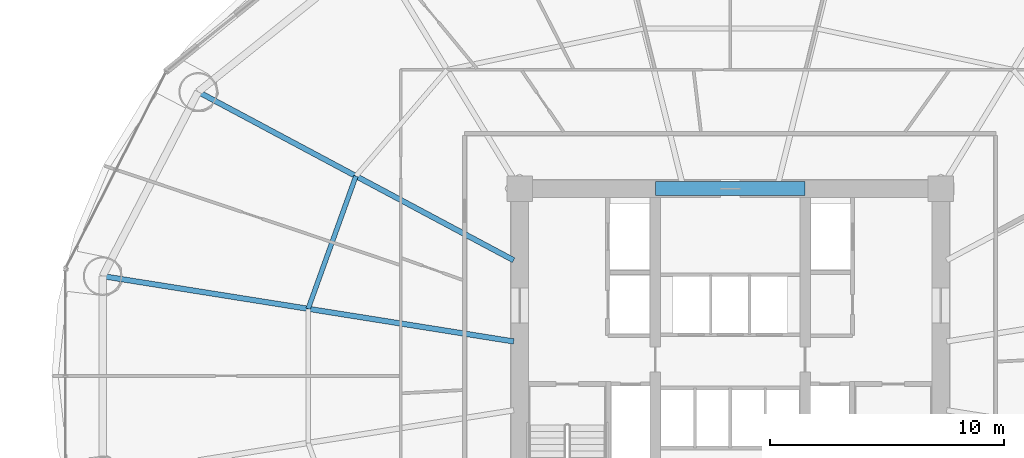
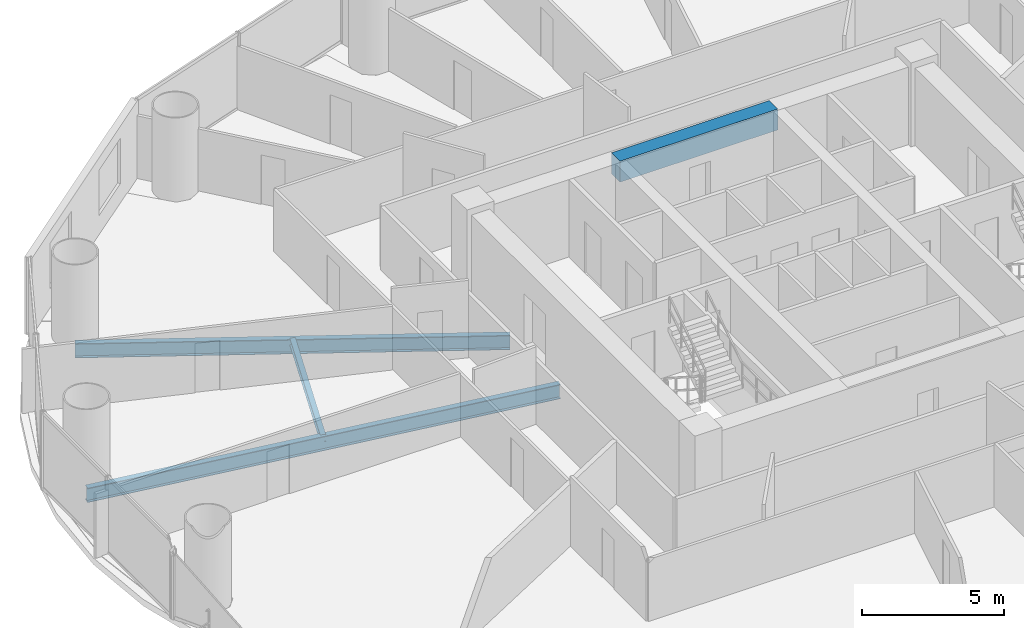
# One storey, part 10 of 30: 4 beams.
"""IFC4 building model written with IfcOpenShell, lengths in metres."""

from ifc_helpers import new_model, si_unit, direction, frame, origin, origin_2d, place, context, subcontext, project, spatial, rectangle, i_section, extrude, material, material_profile, profile_set, type_object, element, save


model = new_model("IFC4")

# Units and contexts
model_context = context("Model", 3, precision=1e-05, world=origin(), true_north=direction((-0.2419218956, 0.970295726276)))
body_context = subcontext(model_context, "Body", "Model", "MODEL_VIEW")
ifc_project = project(units=[si_unit("LENGTHUNIT", "METRE"), si_unit("AREAUNIT", "SQUARE_METRE"), si_unit("VOLUMEUNIT", "CUBIC_METRE"), si_unit("PLANEANGLEUNIT", "RADIAN"), si_unit("MASSUNIT", "GRAM", prefix="KILO")], contexts=[model_context])

# Site, building, storey
site_placement = place(None, origin())
site = spatial("IfcSite", under=ifc_project, at=site_placement, CompositionType="ELEMENT")
building_placement = place(site_placement, origin())
building = spatial("IfcBuilding", under=site, at=building_placement, Name="Cobrevalo Terracotta Tower", CompositionType="ELEMENT")
storey_placement = place(building_placement, frame((0.0, 0.0, 63.60009765625)))
storey = spatial("IfcBuildingStorey", under=building, at=storey_placement, Name="L16", CompositionType="ELEMENT", Elevation=63.60009765625)

# Beams
ifc_material_1 = material(Name="Concrete C60", Category="concrete")
ifc_material_profile_1 = material_profile(ifc_material_1, rectangle(XDim=0.60009765625, YDim=0.89990234375, at=origin_2d()), Name="RC CB 600x900")
ifc_profile_set_1 = profile_set([ifc_material_profile_1], Name="Concrete C60")
beam_type_1 = type_object("IfcBeamType", Name="Structural Beam RC CB 600x900 (Concrete C60)", PredefinedType="BEAM", material=ifc_profile_set_1)
beam_1_placement = place(storey_placement, frame((34.800048828125, 34.800048828125, 2.869873046875), z_axis=(1.0, 0.0, 0.0), x_axis=(0.0, 1.0, 0.0)))
element("IfcBeam", 1, at=beam_1_placement, inside=storey, type_object=beam_type_1, Name="L16 core coupling beam 2", PredefinedType="BEAM", context=body_context, shape_type="SweptSolid", body=[
    extrude(rectangle(XDim=0.60009765625, YDim=0.89990234375, at=origin_2d()), origin(), (0.0, 0.0, 1.0), 6.39990234375),
])
ifc_material_2 = material(Name="Steel S355", Category="steel")
ifc_material_profile_2 = material_profile(ifc_material_2, i_section(OverallWidth=0.22998046875, OverallDepth=0.616943359375, WebThickness=0.01318359375, FlangeThickness=0.022216796875, at=origin_2d()), Name="W 610x140")
ifc_profile_set_2 = profile_set([ifc_material_profile_2], Name="Steel S355")
beam_type_2 = type_object("IfcBeamType", Name="Structural Beam W 610x140 (Steel S355)", PredefinedType="BEAM", material=ifc_profile_set_2)
beam_2_placement = place(storey_placement, frame((15.25927734375, 38.939208984375, -0.588623046875), z_axis=(0.88218223571, -0.470908168329, 0.0), x_axis=(0.470908168329, 0.88218223571, 0.0)))
element("IfcBeam", 2, at=beam_2_placement, inside=storey, type_object=beam_type_2, Name="L16 radial floor girder 07", PredefinedType="BEAM", context=body_context, shape_type="SweptSolid", body=[
    extrude(i_section(OverallWidth=0.22998046875, OverallDepth=0.616943359375, WebThickness=0.01318359375, FlangeThickness=0.022216796875, at=origin_2d()), origin(), (0.0, 0.0, 1.0), 15.286865234375),
])
beam_3_placement = place(storey_placement, frame((11.175537109375, 31.062744140625, -0.588623046875), z_axis=(0.987607924622, -0.156941349628, 0.0), x_axis=(0.156941349628, 0.987607924622, 0.0)))
element("IfcBeam", 3, at=beam_3_placement, inside=storey, type_object=beam_type_2, Name="L16 radial floor girder 08", PredefinedType="BEAM", context=body_context, shape_type="SweptSolid", body=[
    extrude(i_section(OverallWidth=0.22998046875, OverallDepth=0.616943359375, WebThickness=0.01318359375, FlangeThickness=0.022216796875, at=origin_2d()), origin(), (0.0, 0.0, 1.0), 17.7900390625),
])
ifc_material_profile_3 = material_profile(ifc_material_2, i_section(OverallWidth=0.2041015625, OverallDepth=0.305908203125, WebThickness=0.008544921875, FlangeThickness=0.0146484375, at=origin_2d()), Name="W 310x67")
ifc_profile_set_3 = profile_set([ifc_material_profile_3], Name="Steel S355")
beam_type_3 = type_object("IfcBeamType", Name="Structural Joist W 310x67 (Steel S355)", PredefinedType="JOIST", material=ifc_profile_set_3)
beam_4_placement = place(storey_placement, frame((22.002197265625, 35.33984375, -0.43310546875), z_axis=(-0.338672151116, -0.940904444701, 0.0), x_axis=(0.940904444701, -0.338672151116, 0.0)))
element("IfcBeam", 4, at=beam_4_placement, inside=storey, type_object=beam_type_3, Name="L16 circumferential secondary floor joist 07", PredefinedType="JOIST", context=body_context, shape_type="SweptSolid", body=[
    extrude(i_section(OverallWidth=0.2041015625, OverallDepth=0.305908203125, WebThickness=0.008544921875, FlangeThickness=0.0146484375, at=origin_2d()), origin(), (0.0, 0.0, 1.0), 6.029296875),
])

save(model, "model.ifc")
